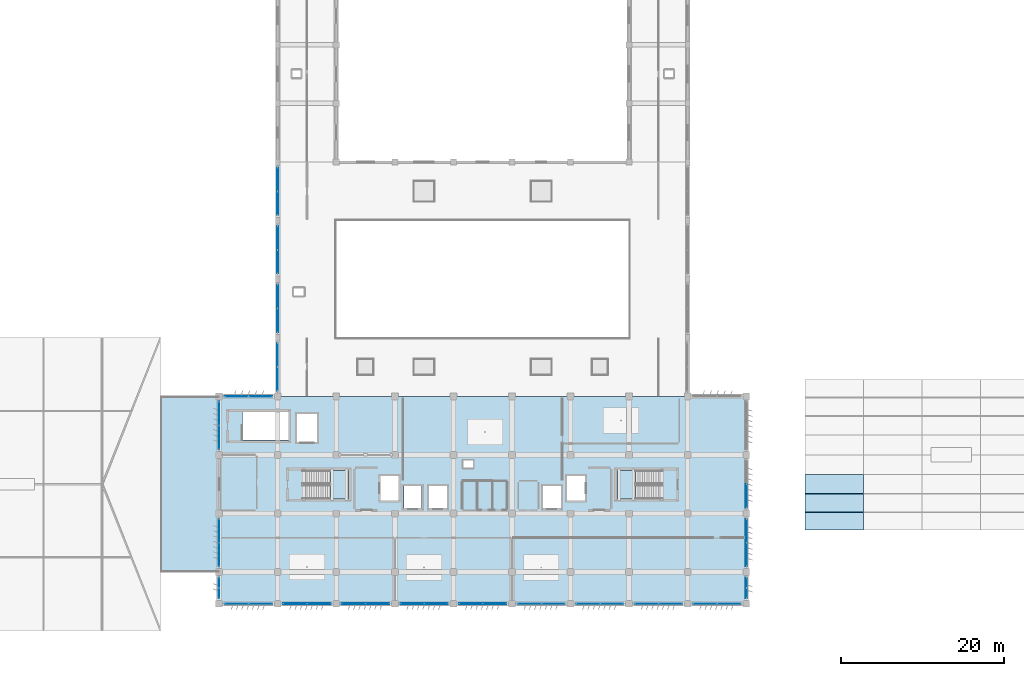
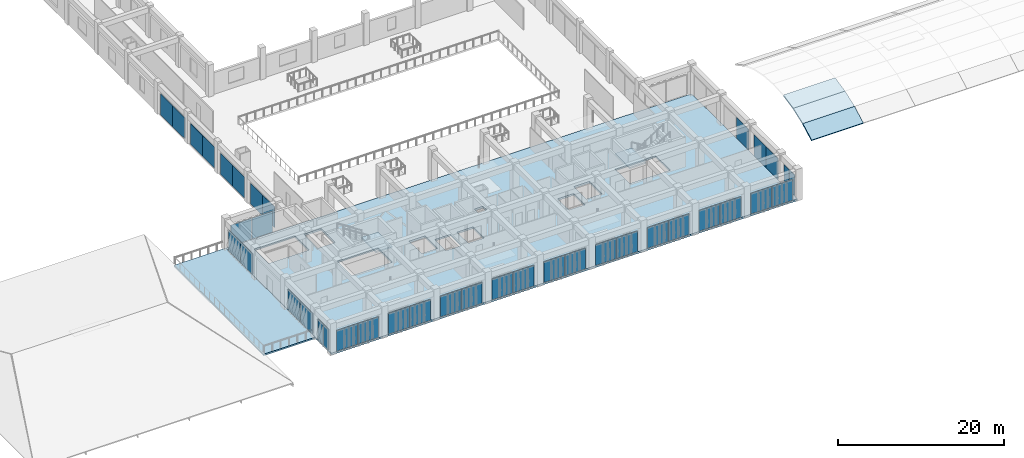
# One storey, part 26 of 55: 39 plates, 7 slabs, 22 elements without a shape of their own.
"""IFC4 building model written with IfcOpenShell, lengths in metres."""

from ifc_helpers import new_model, si_unit, direction, frame, origin, origin_2d, place, context, subcontext, project, spatial, polyline, rectangle, outline, extrude, material, layer, layer_set, type_object, element, aggregate, save


model = new_model("IFC4")

# Units and contexts
model_context = context("Model", 3, precision=1e-05, world=origin(), true_north=direction((0.0, 1.0)))
body_context = subcontext(model_context, "Body", "Model", "MODEL_VIEW")
ifc_project = project(units=[si_unit("LENGTHUNIT", "METRE"), si_unit("AREAUNIT", "SQUARE_METRE"), si_unit("VOLUMEUNIT", "CUBIC_METRE"), si_unit("PLANEANGLEUNIT", "RADIAN"), si_unit("MASSUNIT", "GRAM", prefix="KILO")], contexts=[model_context])

# Site, building, storey
site_placement = place(None, origin())
site = spatial("IfcSite", under=ifc_project, at=site_placement, CompositionType="ELEMENT")
building_placement = place(site_placement, origin())
building = spatial("IfcBuilding", under=site, at=building_placement, Name="Kazehaya Institute of Natural Sciences", CompositionType="ELEMENT")
storey_placement = place(building_placement, frame((0.0, 0.0, 15.1201171875)))
storey = spatial("IfcBuildingStorey", under=building, at=storey_placement, Name="L03", CompositionType="ELEMENT", Elevation=15.1201171875)

# Curtain wall, plates
ifc_material_1 = material(Name="Aluminium alloy A6063S-T5", Category="aluminium")
curtain_wall_type_1 = type_object("IfcCurtainWallType", Name="CW-SYS-03", PredefinedType="NOTDEFINED", material=ifc_material_1)
curtain_wall_1_placement = place(storey_placement, origin())
curtain_wall_1 = element("IfcCurtainWall", 1, at=curtain_wall_1_placement, inside=storey, type_object=curtain_wall_type_1, Name="L03 unitised curtain wall CW-L03-057", PredefinedType="NOTDEFINED")
ifc_material_2 = material(Name="Low-E double-glazed vision glass", Category="glass")
ifc_layer_1 = layer(ifc_material_2, 0.030029296875, Name="Low-E double-glazed vision glass", Category="glass")
ifc_layer_set_1 = layer_set([ifc_layer_1], Name="Low-E double-glazed vision glass")
plate_type_1 = type_object("IfcPlateType", Name="CWP-01", PredefinedType="CURTAIN_PANEL", material=ifc_layer_set_1)
plate_1_placement = place(storey_placement, frame((117.264892578125, 10.10009765625, 0.059814453125), z_axis=(0.0, 0.0, 1.0), x_axis=(-1.0, 0.0, 0.0)))
plate_1 = element("IfcPlate", 2, at=plate_1_placement, type_object=plate_type_1, Name="CW03 panel 1.1", PredefinedType="CURTAIN_PANEL", context=body_context, shape_type="SweptSolid", body=[
    extrude(rectangle(XDim=2.8701171875, YDim=0.030029296875, at=origin_2d()), origin(), (0.0, 0.0, 1.0), 3.06005859375),
])
plate_2_placement = place(storey_placement, frame((114.3349609375, 10.10009765625, 0.059814453125), z_axis=(0.0, 0.0, 1.0), x_axis=(-1.0, 0.0, 0.0)))
plate_2 = element("IfcPlate", 3, at=plate_2_placement, type_object=plate_type_1, Name="CW03 panel 2.1", PredefinedType="CURTAIN_PANEL", context=body_context, shape_type="SweptSolid", body=[
    extrude(rectangle(XDim=2.8701171875, YDim=0.030029296875, at=origin_2d()), origin(), (0.0, 0.0, 1.0), 3.06005859375),
])
aggregate(curtain_wall_1, [plate_1, plate_2])

curtain_wall_2_placement = place(storey_placement, origin())
curtain_wall_2 = element("IfcCurtainWall", 4, at=curtain_wall_2_placement, inside=storey, type_object=curtain_wall_type_1, Name="L03 unitised curtain wall CW-L03-065", PredefinedType="NOTDEFINED")
plate_3_placement = place(storey_placement, frame((59.6650390625, 10.10009765625, 0.059814453125), z_axis=(0.0, 0.0, 1.0), x_axis=(-1.0, 0.0, 0.0)))
plate_3 = element("IfcPlate", 5, at=plate_3_placement, type_object=plate_type_1, Name="CW03 panel 1.1", PredefinedType="CURTAIN_PANEL", context=body_context, shape_type="SweptSolid", body=[
    extrude(rectangle(XDim=2.8701171875, YDim=0.030029296875, at=origin_2d()), origin(), (0.0, 0.0, 1.0), 3.06005859375),
])
plate_4_placement = place(storey_placement, frame((56.735107421875, 10.10009765625, 0.059814453125), z_axis=(0.0, 0.0, 1.0), x_axis=(-1.0, 0.0, 0.0)))
plate_4 = element("IfcPlate", 6, at=plate_4_placement, type_object=plate_type_1, Name="CW03 panel 2.1", PredefinedType="CURTAIN_PANEL", context=body_context, shape_type="SweptSolid", body=[
    extrude(rectangle(XDim=2.8701171875, YDim=0.030029296875, at=origin_2d()), origin(), (0.0, 0.0, 1.0), 3.06005859375),
])
aggregate(curtain_wall_2, [plate_3, plate_4])

curtain_wall_3_placement = place(storey_placement, origin())
curtain_wall_3 = element("IfcCurtainWall", 7, at=curtain_wall_3_placement, inside=storey, type_object=curtain_wall_type_1, Name="L03 unitised curtain wall CW-L03-058", PredefinedType="NOTDEFINED")
ifc_layer_2 = layer(ifc_material_2, 0.0400390625, Name="Low-E double-glazed vision glass", Category="glass")
ifc_layer_set_2 = layer_set([ifc_layer_2], Name="Low-E double-glazed vision glass")
plate_type_2 = type_object("IfcPlateType", Name="CWP-02", PredefinedType="CURTAIN_PANEL", material=ifc_layer_set_2)
plate_5_placement = place(storey_placement, frame((110.06494140625, 10.10009765625, 0.059814453125), z_axis=(0.0, 0.0, 1.0), x_axis=(-1.0, 0.0, 0.0)))
plate_5 = element("IfcPlate", 8, at=plate_5_placement, type_object=plate_type_2, Name="CW03 panel 1.1", PredefinedType="CURTAIN_PANEL", context=body_context, shape_type="SweptSolid", body=[
    extrude(rectangle(XDim=2.8701171875, YDim=0.0400390625, at=origin_2d()), origin(), (0.0, 0.0, 1.0), 3.06005859375),
])
plate_6_placement = place(storey_placement, frame((107.135009765625, 10.10009765625, 0.059814453125), z_axis=(0.0, 0.0, 1.0), x_axis=(-1.0, 0.0, 0.0)))
plate_6 = element("IfcPlate", 9, at=plate_6_placement, type_object=plate_type_2, Name="CW03 panel 2.1", PredefinedType="CURTAIN_PANEL", context=body_context, shape_type="SweptSolid", body=[
    extrude(rectangle(XDim=2.8701171875, YDim=0.0400390625, at=origin_2d()), origin(), (0.0, 0.0, 1.0), 3.06005859375),
])
aggregate(curtain_wall_3, [plate_5, plate_6])

curtain_wall_4_placement = place(storey_placement, origin())
curtain_wall_4 = element("IfcCurtainWall", 10, at=curtain_wall_4_placement, inside=storey, type_object=curtain_wall_type_1, Name="L03 unitised curtain wall CW-L03-059", PredefinedType="NOTDEFINED")
ifc_layer_3 = layer(ifc_material_2, 0.050048828125, Name="Low-E double-glazed vision glass", Category="glass")
ifc_layer_set_3 = layer_set([ifc_layer_3], Name="Low-E double-glazed vision glass")
plate_type_3 = type_object("IfcPlateType", Name="CWP-03", PredefinedType="CURTAIN_PANEL", material=ifc_layer_set_3)
plate_7_placement = place(storey_placement, frame((102.864990234375, 10.10009765625, 0.059814453125), z_axis=(0.0, 0.0, 1.0), x_axis=(-1.0, 0.0, 0.0)))
plate_7 = element("IfcPlate", 11, at=plate_7_placement, type_object=plate_type_3, Name="CW03 panel 1.1", PredefinedType="CURTAIN_PANEL", context=body_context, shape_type="SweptSolid", body=[
    extrude(rectangle(XDim=2.8701171875, YDim=0.050048828125, at=origin_2d()), origin(), (0.0, 0.0, 1.0), 3.06005859375),
])
plate_8_placement = place(storey_placement, frame((99.93505859375, 10.10009765625, 0.059814453125), z_axis=(0.0, 0.0, 1.0), x_axis=(-1.0, 0.0, 0.0)))
plate_8 = element("IfcPlate", 12, at=plate_8_placement, type_object=plate_type_3, Name="CW03 panel 2.1", PredefinedType="CURTAIN_PANEL", context=body_context, shape_type="SweptSolid", body=[
    extrude(rectangle(XDim=2.8701171875, YDim=0.050048828125, at=origin_2d()), origin(), (0.0, 0.0, 1.0), 3.06005859375),
])
aggregate(curtain_wall_4, [plate_7, plate_8])

curtain_wall_5_placement = place(storey_placement, origin())
curtain_wall_5 = element("IfcCurtainWall", 13, at=curtain_wall_5_placement, inside=storey, type_object=curtain_wall_type_1, Name="L03 unitised curtain wall CW-L03-066", PredefinedType="NOTDEFINED")
plate_9_placement = place(storey_placement, frame((56.735107421875, 35.60009765625, 0.059814453125), z_axis=(0.0, 0.0, 1.0), x_axis=(1.0, 0.0, 0.0)))
plate_9 = element("IfcPlate", 14, at=plate_9_placement, type_object=plate_type_3, Name="CW03 panel 1.1", PredefinedType="CURTAIN_PANEL", context=body_context, shape_type="SweptSolid", body=[
    extrude(rectangle(XDim=2.8701171875, YDim=0.050048828125, at=origin_2d()), origin(), (0.0, 0.0, 1.0), 3.06005859375),
])
plate_10_placement = place(storey_placement, frame((59.6650390625, 35.60009765625, 0.059814453125), z_axis=(0.0, 0.0, 1.0), x_axis=(1.0, 0.0, 0.0)))
plate_10 = element("IfcPlate", 15, at=plate_10_placement, type_object=plate_type_3, Name="CW03 panel 2.1", PredefinedType="CURTAIN_PANEL", context=body_context, shape_type="SweptSolid", body=[
    extrude(rectangle(XDim=2.8701171875, YDim=0.050048828125, at=origin_2d()), origin(), (0.0, 0.0, 1.0), 3.06005859375),
])
aggregate(curtain_wall_5, [plate_9, plate_10])

curtain_wall_type_2 = type_object("IfcCurtainWallType", Name="CW-SYS-04", PredefinedType="NOTDEFINED", material=ifc_material_1)
curtain_wall_6_placement = place(storey_placement, origin())
curtain_wall_6 = element("IfcCurtainWall", 16, at=curtain_wall_6_placement, inside=storey, type_object=curtain_wall_type_2, Name="L03 unitised curtain wall CW-L03-031", PredefinedType="NOTDEFINED")
ifc_layer_4 = layer(ifc_material_2, 0.06005859375, Name="Low-E double-glazed vision glass", Category="glass")
ifc_layer_set_4 = layer_set([ifc_layer_4], Name="Low-E double-glazed vision glass")
plate_type_4 = type_object("IfcPlateType", Name="CWP-04", PredefinedType="CURTAIN_PANEL", material=ifc_layer_set_4)
plate_11_placement = place(storey_placement, frame((61.800048828125, 37.735107421875, 0.059814453125), z_axis=(0.0, 0.0, 1.0), x_axis=(0.0, 1.0, 0.0)))
plate_11 = element("IfcPlate", 17, at=plate_11_placement, type_object=plate_type_4, Name="CW04 panel 1.1", PredefinedType="CURTAIN_PANEL", context=body_context, shape_type="SweptSolid", body=[
    extrude(rectangle(XDim=2.8701171875, YDim=0.06005859375, at=origin_2d()), origin(), (0.0, 0.0, 1.0), 3.06005859375),
])
plate_12_placement = place(storey_placement, frame((61.800048828125, 40.6650390625, 0.059814453125), z_axis=(0.0, 0.0, 1.0), x_axis=(0.0, 1.0, 0.0)))
plate_12 = element("IfcPlate", 18, at=plate_12_placement, type_object=plate_type_4, Name="CW04 panel 2.1", PredefinedType="CURTAIN_PANEL", context=body_context, shape_type="SweptSolid", body=[
    extrude(rectangle(XDim=2.8701171875, YDim=0.06005859375, at=origin_2d()), origin(), (0.0, 0.0, 1.0), 3.06005859375),
])
aggregate(curtain_wall_6, [plate_11, plate_12])

curtain_wall_7_placement = place(storey_placement, origin())
curtain_wall_7 = element("IfcCurtainWall", 19, at=curtain_wall_7_placement, inside=storey, type_object=curtain_wall_type_1, Name="L03 unitised curtain wall CW-L03-060", PredefinedType="NOTDEFINED")
plate_13_placement = place(storey_placement, frame((95.6650390625, 10.10009765625, 0.059814453125), z_axis=(0.0, 0.0, 1.0), x_axis=(-1.0, 0.0, 0.0)))
plate_13 = element("IfcPlate", 20, at=plate_13_placement, type_object=plate_type_4, Name="CW03 panel 1.1", PredefinedType="CURTAIN_PANEL", context=body_context, shape_type="SweptSolid", body=[
    extrude(rectangle(XDim=2.8701171875, YDim=0.06005859375, at=origin_2d()), origin(), (0.0, 0.0, 1.0), 3.06005859375),
])
plate_14_placement = place(storey_placement, frame((92.735107421875, 10.10009765625, 0.059814453125), z_axis=(0.0, 0.0, 1.0), x_axis=(-1.0, 0.0, 0.0)))
plate_14 = element("IfcPlate", 21, at=plate_14_placement, type_object=plate_type_4, Name="CW03 panel 2.1", PredefinedType="CURTAIN_PANEL", context=body_context, shape_type="SweptSolid", body=[
    extrude(rectangle(XDim=2.8701171875, YDim=0.06005859375, at=origin_2d()), origin(), (0.0, 0.0, 1.0), 3.06005859375),
])
aggregate(curtain_wall_7, [plate_13, plate_14])

curtain_wall_8_placement = place(storey_placement, origin())
curtain_wall_8 = element("IfcCurtainWall", 22, at=curtain_wall_8_placement, inside=storey, type_object=curtain_wall_type_2, Name="L03 unitised curtain wall CW-L03-033", PredefinedType="NOTDEFINED")
ifc_material_3 = material(Name="Insulated bronze aluminium spandrel panel", Category="aluminium")
ifc_layer_5 = layer(ifc_material_3, 0.070068359375, Name="Insulated bronze aluminium spandrel panel", Category="aluminium")
ifc_layer_set_5 = layer_set([ifc_layer_5], Name="Insulated bronze aluminium spandrel panel")
plate_type_5 = type_object("IfcPlateType", Name="CWP-05", PredefinedType="CURTAIN_PANEL", material=ifc_layer_set_5)
plate_15_placement = place(storey_placement, frame((61.800048828125, 44.93505859375, 0.059814453125), z_axis=(0.0, 0.0, 1.0), x_axis=(0.0, 1.0, 0.0)))
plate_15 = element("IfcPlate", 23, at=plate_15_placement, type_object=plate_type_5, Name="CW04 panel 1.1", PredefinedType="CURTAIN_PANEL", context=body_context, shape_type="SweptSolid", body=[
    extrude(rectangle(XDim=2.8701171875, YDim=0.070068359375, at=origin_2d()), origin(), (0.0, 0.0, 1.0), 3.06005859375),
])
plate_16_placement = place(storey_placement, frame((61.800048828125, 47.864990234375, 0.059814453125), z_axis=(0.0, 0.0, 1.0), x_axis=(0.0, 1.0, 0.0)))
plate_16 = element("IfcPlate", 24, at=plate_16_placement, type_object=plate_type_5, Name="CW04 panel 2.1", PredefinedType="CURTAIN_PANEL", context=body_context, shape_type="SweptSolid", body=[
    extrude(rectangle(XDim=2.8701171875, YDim=0.070068359375, at=origin_2d()), origin(), (0.0, 0.0, 1.0), 3.06005859375),
])
aggregate(curtain_wall_8, [plate_15, plate_16])

curtain_wall_9_placement = place(storey_placement, origin())
curtain_wall_9 = element("IfcCurtainWall", 25, at=curtain_wall_9_placement, inside=storey, type_object=curtain_wall_type_1, Name="L03 unitised curtain wall CW-L03-061", PredefinedType="NOTDEFINED")
plate_17_placement = place(storey_placement, frame((88.465087890625, 10.10009765625, 0.059814453125), z_axis=(0.0, 0.0, 1.0), x_axis=(-1.0, 0.0, 0.0)))
plate_17 = element("IfcPlate", 26, at=plate_17_placement, type_object=plate_type_5, Name="CW03 panel 1.1", PredefinedType="CURTAIN_PANEL", context=body_context, shape_type="SweptSolid", body=[
    extrude(rectangle(XDim=2.8701171875, YDim=0.070068359375, at=origin_2d()), origin(), (0.0, 0.0, 1.0), 3.06005859375),
])
plate_18_placement = place(storey_placement, frame((85.534912109375, 10.10009765625, 0.059814453125), z_axis=(0.0, 0.0, 1.0), x_axis=(-1.0, 0.0, 0.0)))
plate_18 = element("IfcPlate", 27, at=plate_18_placement, type_object=plate_type_5, Name="CW03 panel 2.1", PredefinedType="CURTAIN_PANEL", context=body_context, shape_type="SweptSolid", body=[
    extrude(rectangle(XDim=2.8701171875, YDim=0.070068359375, at=origin_2d()), origin(), (0.0, 0.0, 1.0), 3.06005859375),
])
aggregate(curtain_wall_9, [plate_17, plate_18])

curtain_wall_type_3 = type_object("IfcCurtainWallType", Name="CW-SYS-07", PredefinedType="NOTDEFINED", material=ifc_material_1)
curtain_wall_10_placement = place(storey_placement, origin())
curtain_wall_10 = element("IfcCurtainWall", 28, at=curtain_wall_10_placement, inside=storey, type_object=curtain_wall_type_3, Name="L03 unitised curtain wall CW-L03-068", PredefinedType="NOTDEFINED")
plate_19_placement = place(storey_placement, frame((54.60009765625, 11.409912109375, 0.059814453125), z_axis=(0.0, 0.0, 1.0), x_axis=(0.0, 1.0, 0.0)))
plate_19 = element("IfcPlate", 29, at=plate_19_placement, type_object=plate_type_5, Name="CW07 panel 1.1", PredefinedType="CURTAIN_PANEL", context=body_context, shape_type="SweptSolid", body=[
    extrude(rectangle(XDim=1.219970703125, YDim=0.070068359375, at=origin_2d()), origin(), (0.0, 0.0, 1.0), 3.06005859375),
])
plate_20_placement = place(storey_placement, frame((54.60009765625, 12.68994140625, 0.059814453125), z_axis=(0.0, 0.0, 1.0), x_axis=(0.0, 1.0, 0.0)))
plate_20 = element("IfcPlate", 30, at=plate_20_placement, type_object=plate_type_5, Name="CW07 panel 2.1", PredefinedType="CURTAIN_PANEL", context=body_context, shape_type="SweptSolid", body=[
    extrude(rectangle(XDim=1.219970703125, YDim=0.070068359375, at=origin_2d()), origin(), (0.0, 0.0, 1.0), 3.06005859375),
])
aggregate(curtain_wall_10, [plate_19, plate_20])

curtain_wall_type_4 = type_object("IfcCurtainWallType", Name="CW-SYS-10", PredefinedType="NOTDEFINED", material=ifc_material_1)
curtain_wall_11_placement = place(storey_placement, origin())
curtain_wall_11 = element("IfcCurtainWall", 31, at=curtain_wall_11_placement, inside=storey, type_object=curtain_wall_type_4, Name="L03 unitised curtain wall CW-L03-070", PredefinedType="NOTDEFINED")
plate_21_placement = place(storey_placement, frame((54.60009765625, 16.135009765625, 0.059814453125), z_axis=(0.0, 0.0, 1.0), x_axis=(0.0, 1.0, 0.0)))
plate_21 = element("IfcPlate", 32, at=plate_21_placement, type_object=plate_type_5, Name="CW10 panel 1.1", PredefinedType="CURTAIN_PANEL", context=body_context, shape_type="SweptSolid", body=[
    extrude(rectangle(XDim=2.8701171875, YDim=0.070068359375, at=origin_2d()), origin(), (0.0, 0.0, 1.0), 3.06005859375),
])
plate_22_placement = place(storey_placement, frame((54.60009765625, 19.06494140625, 0.059814453125), z_axis=(0.0, 0.0, 1.0), x_axis=(0.0, 1.0, 0.0)))
plate_22 = element("IfcPlate", 33, at=plate_22_placement, type_object=plate_type_5, Name="CW10 panel 2.1", PredefinedType="CURTAIN_PANEL", context=body_context, shape_type="SweptSolid", body=[
    extrude(rectangle(XDim=2.8701171875, YDim=0.070068359375, at=origin_2d()), origin(), (0.0, 0.0, 1.0), 3.06005859375),
])
aggregate(curtain_wall_11, [plate_21, plate_22])

curtain_wall_12_placement = place(storey_placement, origin())
curtain_wall_12 = element("IfcCurtainWall", 34, at=curtain_wall_12_placement, inside=storey, type_object=curtain_wall_type_4, Name="L03 unitised curtain wall CW-L03-073", PredefinedType="NOTDEFINED")
plate_23_placement = place(storey_placement, frame((54.60009765625, 30.534912109375, 0.059814453125), z_axis=(0.0, 0.0, 1.0), x_axis=(0.0, 1.0, 0.0)))
plate_23 = element("IfcPlate", 35, at=plate_23_placement, type_object=plate_type_5, Name="CW10 panel 1.1", PredefinedType="CURTAIN_PANEL", context=body_context, shape_type="SweptSolid", body=[
    extrude(rectangle(XDim=2.8701171875, YDim=0.070068359375, at=origin_2d()), origin(), (0.0, 0.0, 1.0), 3.06005859375),
])
plate_24_placement = place(storey_placement, frame((54.60009765625, 33.465087890625, 0.059814453125), z_axis=(0.0, 0.0, 1.0), x_axis=(0.0, 1.0, 0.0)))
plate_24 = element("IfcPlate", 36, at=plate_24_placement, type_object=plate_type_5, Name="CW10 panel 2.1", PredefinedType="CURTAIN_PANEL", context=body_context, shape_type="SweptSolid", body=[
    extrude(rectangle(XDim=2.8701171875, YDim=0.070068359375, at=origin_2d()), origin(), (0.0, 0.0, 1.0), 3.06005859375),
])
aggregate(curtain_wall_12, [plate_23, plate_24])

curtain_wall_13_placement = place(storey_placement, origin())
curtain_wall_13 = element("IfcCurtainWall", 37, at=curtain_wall_13_placement, inside=storey, type_object=curtain_wall_type_2, Name="L03 unitised curtain wall CW-L03-035", PredefinedType="NOTDEFINED")
ifc_layer_6 = layer(ifc_material_3, 0.080078125, Name="Insulated bronze aluminium spandrel panel", Category="aluminium")
ifc_layer_set_6 = layer_set([ifc_layer_6], Name="Insulated bronze aluminium spandrel panel")
plate_type_6 = type_object("IfcPlateType", Name="CWP-06", PredefinedType="CURTAIN_PANEL", material=ifc_layer_set_6)
plate_25_placement = place(storey_placement, frame((61.800048828125, 52.135009765625, 0.059814453125), z_axis=(0.0, 0.0, 1.0), x_axis=(0.0, 1.0, 0.0)))
plate_25 = element("IfcPlate", 38, at=plate_25_placement, type_object=plate_type_6, Name="CW04 panel 1.1", PredefinedType="CURTAIN_PANEL", context=body_context, shape_type="SweptSolid", body=[
    extrude(rectangle(XDim=2.8701171875, YDim=0.080078125, at=origin_2d()), origin(), (0.0, 0.0, 1.0), 3.06005859375),
])
plate_26_placement = place(storey_placement, frame((61.800048828125, 55.06494140625, 0.059814453125), z_axis=(0.0, 0.0, 1.0), x_axis=(0.0, 1.0, 0.0)))
plate_26 = element("IfcPlate", 39, at=plate_26_placement, type_object=plate_type_6, Name="CW04 panel 2.1", PredefinedType="CURTAIN_PANEL", context=body_context, shape_type="SweptSolid", body=[
    extrude(rectangle(XDim=2.8701171875, YDim=0.080078125, at=origin_2d()), origin(), (0.0, 0.0, 1.0), 3.06005859375),
])
aggregate(curtain_wall_13, [plate_25, plate_26])

curtain_wall_14_placement = place(storey_placement, origin())
curtain_wall_14 = element("IfcCurtainWall", 40, at=curtain_wall_14_placement, inside=storey, type_object=curtain_wall_type_1, Name="L03 unitised curtain wall CW-L03-062", PredefinedType="NOTDEFINED")
plate_27_placement = place(storey_placement, frame((81.264892578125, 10.10009765625, 0.059814453125), z_axis=(0.0, 0.0, 1.0), x_axis=(-1.0, 0.0, 0.0)))
plate_27 = element("IfcPlate", 41, at=plate_27_placement, type_object=plate_type_6, Name="CW03 panel 1.1", PredefinedType="CURTAIN_PANEL", context=body_context, shape_type="SweptSolid", body=[
    extrude(rectangle(XDim=2.8701171875, YDim=0.080078125, at=origin_2d()), origin(), (0.0, 0.0, 1.0), 3.06005859375),
])
plate_28_placement = place(storey_placement, frame((78.3349609375, 10.10009765625, 0.059814453125), z_axis=(0.0, 0.0, 1.0), x_axis=(-1.0, 0.0, 0.0)))
plate_28 = element("IfcPlate", 42, at=plate_28_placement, type_object=plate_type_6, Name="CW03 panel 2.1", PredefinedType="CURTAIN_PANEL", context=body_context, shape_type="SweptSolid", body=[
    extrude(rectangle(XDim=2.8701171875, YDim=0.080078125, at=origin_2d()), origin(), (0.0, 0.0, 1.0), 3.06005859375),
])
aggregate(curtain_wall_14, [plate_27, plate_28])

curtain_wall_15_placement = place(storey_placement, origin())
curtain_wall_15 = element("IfcCurtainWall", 43, at=curtain_wall_15_placement, inside=storey, type_object=curtain_wall_type_3, Name="L03 unitised curtain wall CW-L03-069", PredefinedType="NOTDEFINED")
plate_29_placement = place(storey_placement, frame((119.39990234375, 12.68994140625, 0.059814453125), z_axis=(0.0, 0.0, 1.0), x_axis=(0.0, -1.0, 0.0)))
plate_29 = element("IfcPlate", 44, at=plate_29_placement, type_object=plate_type_6, Name="CW07 panel 1.1", PredefinedType="CURTAIN_PANEL", context=body_context, shape_type="SweptSolid", body=[
    extrude(rectangle(XDim=1.219970703125, YDim=0.080078125, at=origin_2d()), origin(), (0.0, 0.0, 1.0), 3.06005859375),
])
plate_30_placement = place(storey_placement, frame((119.39990234375, 11.409912109375, 0.059814453125), z_axis=(0.0, 0.0, 1.0), x_axis=(0.0, -1.0, 0.0)))
plate_30 = element("IfcPlate", 45, at=plate_30_placement, type_object=plate_type_6, Name="CW07 panel 2.1", PredefinedType="CURTAIN_PANEL", context=body_context, shape_type="SweptSolid", body=[
    extrude(rectangle(XDim=1.219970703125, YDim=0.080078125, at=origin_2d()), origin(), (0.0, 0.0, 1.0), 3.06005859375),
])
aggregate(curtain_wall_15, [plate_29, plate_30])

curtain_wall_16_placement = place(storey_placement, origin())
curtain_wall_16 = element("IfcCurtainWall", 46, at=curtain_wall_16_placement, inside=storey, type_object=curtain_wall_type_4, Name="L03 unitised curtain wall CW-L03-071", PredefinedType="NOTDEFINED")
plate_31_placement = place(storey_placement, frame((119.39990234375, 19.06494140625, 0.059814453125), z_axis=(0.0, 0.0, 1.0), x_axis=(0.0, -1.0, 0.0)))
plate_31 = element("IfcPlate", 47, at=plate_31_placement, type_object=plate_type_6, Name="CW10 panel 1.1", PredefinedType="CURTAIN_PANEL", context=body_context, shape_type="SweptSolid", body=[
    extrude(rectangle(XDim=2.8701171875, YDim=0.080078125, at=origin_2d()), origin(), (0.0, 0.0, 1.0), 3.06005859375),
])
plate_32_placement = place(storey_placement, frame((119.39990234375, 16.135009765625, 0.059814453125), z_axis=(0.0, 0.0, 1.0), x_axis=(0.0, -1.0, 0.0)))
plate_32 = element("IfcPlate", 48, at=plate_32_placement, type_object=plate_type_6, Name="CW10 panel 2.1", PredefinedType="CURTAIN_PANEL", context=body_context, shape_type="SweptSolid", body=[
    extrude(rectangle(XDim=2.8701171875, YDim=0.080078125, at=origin_2d()), origin(), (0.0, 0.0, 1.0), 3.06005859375),
])
aggregate(curtain_wall_16, [plate_31, plate_32])

# Curtain wall, plate
curtain_wall_17_placement = place(storey_placement, origin())
curtain_wall_17 = element("IfcCurtainWall", 49, at=curtain_wall_17_placement, inside=storey, type_object=curtain_wall_type_4, Name="L03 unitised curtain wall CW-L03-072", PredefinedType="NOTDEFINED")
plate_33_placement = place(storey_placement, frame((119.39990234375, 23.3349609375, 0.059814453125), z_axis=(0.0, 0.0, 1.0), x_axis=(0.0, -1.0, 0.0)))
plate_33 = element("IfcPlate", 50, at=plate_33_placement, type_object=plate_type_6, Name="CW10 panel 2.1", PredefinedType="CURTAIN_PANEL", context=body_context, shape_type="SweptSolid", body=[
    extrude(rectangle(XDim=2.8701171875, YDim=0.080078125, at=origin_2d()), origin(), (0.0, 0.0, 1.0), 3.06005859375),
])
aggregate(curtain_wall_17, [plate_33])

# Curtain wall, plates
curtain_wall_18_placement = place(storey_placement, origin())
curtain_wall_18 = element("IfcCurtainWall", 51, at=curtain_wall_18_placement, inside=storey, type_object=curtain_wall_type_2, Name="L03 unitised curtain wall CW-L03-037", PredefinedType="NOTDEFINED")
ifc_layer_7 = layer(ifc_material_3, 0.090087890625, Name="Insulated bronze aluminium spandrel panel", Category="aluminium")
ifc_layer_set_7 = layer_set([ifc_layer_7], Name="Insulated bronze aluminium spandrel panel")
plate_type_7 = type_object("IfcPlateType", Name="CWP-07", PredefinedType="CURTAIN_PANEL", material=ifc_layer_set_7)
plate_34_placement = place(storey_placement, frame((61.800048828125, 59.3349609375, 0.059814453125), z_axis=(0.0, 0.0, 1.0), x_axis=(0.0, 1.0, 0.0)))
plate_34 = element("IfcPlate", 52, at=plate_34_placement, type_object=plate_type_7, Name="CW04 panel 1.1", PredefinedType="CURTAIN_PANEL", context=body_context, shape_type="SweptSolid", body=[
    extrude(rectangle(XDim=2.8701171875, YDim=0.090087890625, at=origin_2d()), origin(), (0.0, 0.0, 1.0), 3.06005859375),
])
plate_35_placement = place(storey_placement, frame((61.800048828125, 62.264892578125, 0.059814453125), z_axis=(0.0, 0.0, 1.0), x_axis=(0.0, 1.0, 0.0)))
plate_35 = element("IfcPlate", 53, at=plate_35_placement, type_object=plate_type_7, Name="CW04 panel 2.1", PredefinedType="CURTAIN_PANEL", context=body_context, shape_type="SweptSolid", body=[
    extrude(rectangle(XDim=2.8701171875, YDim=0.090087890625, at=origin_2d()), origin(), (0.0, 0.0, 1.0), 3.06005859375),
])
aggregate(curtain_wall_18, [plate_34, plate_35])

curtain_wall_19_placement = place(storey_placement, origin())
curtain_wall_19 = element("IfcCurtainWall", 54, at=curtain_wall_19_placement, inside=storey, type_object=curtain_wall_type_1, Name="L03 unitised curtain wall CW-L03-063", PredefinedType="NOTDEFINED")
plate_36_placement = place(storey_placement, frame((74.06494140625, 10.10009765625, 0.059814453125), z_axis=(0.0, 0.0, 1.0), x_axis=(-1.0, 0.0, 0.0)))
plate_36 = element("IfcPlate", 55, at=plate_36_placement, type_object=plate_type_7, Name="CW03 panel 1.1", PredefinedType="CURTAIN_PANEL", context=body_context, shape_type="SweptSolid", body=[
    extrude(rectangle(XDim=2.8701171875, YDim=0.090087890625, at=origin_2d()), origin(), (0.0, 0.0, 1.0), 3.06005859375),
])
plate_37_placement = place(storey_placement, frame((71.135009765625, 10.10009765625, 0.059814453125), z_axis=(0.0, 0.0, 1.0), x_axis=(-1.0, 0.0, 0.0)))
plate_37 = element("IfcPlate", 56, at=plate_37_placement, type_object=plate_type_7, Name="CW03 panel 2.1", PredefinedType="CURTAIN_PANEL", context=body_context, shape_type="SweptSolid", body=[
    extrude(rectangle(XDim=2.8701171875, YDim=0.090087890625, at=origin_2d()), origin(), (0.0, 0.0, 1.0), 3.06005859375),
])
aggregate(curtain_wall_19, [plate_36, plate_37])

curtain_wall_20_placement = place(storey_placement, origin())
curtain_wall_20 = element("IfcCurtainWall", 57, at=curtain_wall_20_placement, inside=storey, type_object=curtain_wall_type_1, Name="L03 unitised curtain wall CW-L03-064", PredefinedType="NOTDEFINED")
ifc_layer_8 = layer(ifc_material_3, 0.10009765625, Name="Insulated bronze aluminium spandrel panel", Category="aluminium")
ifc_layer_set_8 = layer_set([ifc_layer_8], Name="Insulated bronze aluminium spandrel panel")
plate_type_8 = type_object("IfcPlateType", Name="CWP-08", PredefinedType="CURTAIN_PANEL", material=ifc_layer_set_8)
plate_38_placement = place(storey_placement, frame((66.864990234375, 10.10009765625, 0.059814453125), z_axis=(0.0, 0.0, 1.0), x_axis=(-1.0, 0.0, 0.0)))
plate_38 = element("IfcPlate", 58, at=plate_38_placement, type_object=plate_type_8, Name="CW03 panel 1.1", PredefinedType="CURTAIN_PANEL", context=body_context, shape_type="SweptSolid", body=[
    extrude(rectangle(XDim=2.8701171875, YDim=0.10009765625, at=origin_2d()), origin(), (0.0, 0.0, 1.0), 3.06005859375),
])
plate_39_placement = place(storey_placement, frame((63.93505859375, 10.10009765625, 0.059814453125), z_axis=(0.0, 0.0, 1.0), x_axis=(-1.0, 0.0, 0.0)))
plate_39 = element("IfcPlate", 59, at=plate_39_placement, type_object=plate_type_8, Name="CW03 panel 2.1", PredefinedType="CURTAIN_PANEL", context=body_context, shape_type="SweptSolid", body=[
    extrude(rectangle(XDim=2.8701171875, YDim=0.10009765625, at=origin_2d()), origin(), (0.0, 0.0, 1.0), 3.06005859375),
])
aggregate(curtain_wall_20, [plate_38, plate_39])

# Slab
ifc_material_4 = material(Name="Concrete Fc36", Category="concrete")
ifc_layer_9 = layer(ifc_material_4, 0.260009765625, Name="Concrete Fc36", Category="concrete")
ifc_layer_set_9 = layer_set([ifc_layer_9], Name="Concrete Fc36")
slab_type_1 = type_object("IfcSlabType", Name="SL-FLR-260", PredefinedType="FLOOR", material=ifc_layer_set_9)
slab_1_placement = place(storey_placement, frame((0.0, 0.0, -0.260009765625)))
element("IfcSlab", 60, at=slab_1_placement, inside=storey, type_object=slab_type_1, Name="L03 structural slab L03-VOL4", PredefinedType="FLOOR", context=body_context, shape_type="SweptSolid", body=[
    extrude(outline(polyline([(54.60009765625, 10.10009765625), (119.39990234375, 10.10009765625), (119.39990234375, 35.60009765625), (54.60009765625, 35.60009765625), (54.60009765625, 10.10009765625)]), holes=[polyline([(84.60009765625, 26.800048828125), (85.800048828125, 26.800048828125), (85.800048828125, 27.699951171875), (84.60009765625, 27.699951171875), (84.60009765625, 26.800048828125)]), polyline([(64.860107421875, 23.0), (70.5, 23.0), (70.5, 26.47998046875), (64.860107421875, 26.47998046875), (64.860107421875, 23.0)]), polyline([(103.5, 23.0), (109.139892578125, 23.0), (109.139892578125, 26.47998046875), (103.5, 26.47998046875), (103.5, 23.0)]), polyline([(57.4599609375, 30.199951171875), (63.10009765625, 30.199951171875), (63.10009765625, 33.679931640625), (57.4599609375, 33.679931640625), (57.4599609375, 30.199951171875)]), polyline([(74.449951171875, 22.800048828125), (76.64990234375, 22.800048828125), (76.64990234375, 25.800048828125), (74.449951171875, 25.800048828125), (74.449951171875, 22.800048828125)]), polyline([(97.35009765625, 22.800048828125), (99.550048828125, 22.800048828125), (99.550048828125, 25.800048828125), (97.35009765625, 25.800048828125), (97.35009765625, 22.800048828125)]), polyline([(77.300048828125, 21.85009765625), (79.5, 21.85009765625), (79.5, 24.550048828125), (77.300048828125, 24.550048828125), (77.300048828125, 21.85009765625)]), polyline([(80.39990234375, 21.85009765625), (82.60009765625, 21.85009765625), (82.60009765625, 24.550048828125), (80.39990234375, 24.550048828125), (80.39990234375, 21.85009765625)]), polyline([(94.39990234375, 21.85009765625), (96.60009765625, 21.85009765625), (96.60009765625, 24.550048828125), (94.39990234375, 24.550048828125), (94.39990234375, 21.85009765625)]), polyline([(64.199951171875, 30.0), (66.60009765625, 30.0), (66.60009765625, 33.39990234375), (64.199951171875, 33.39990234375), (64.199951171875, 30.0)])]), origin(), (0.0, 0.0, 1.0), 0.260009765625),
])

# Stair, slab
stair_type = type_object("IfcStairType", Name="STR-DOG-4680", PredefinedType="HALF_TURN_STAIR", material=ifc_material_4)
stair_1_placement = place(storey_placement, origin())
stair_1 = element("IfcStair", 61, at=stair_1_placement, inside=storey, type_object=stair_type, Name="L03 Protected Escape Stair ST-1", PredefinedType="HALF_TURN_STAIR")
ifc_layer_10 = layer(ifc_material_4, 0.159912109375, Name="Concrete Fc36", Category="concrete")
ifc_layer_set_10 = layer_set([ifc_layer_10], Name="Concrete Fc36")
slab_type_2 = type_object("IfcSlabType", Name="SL-LND-160", PredefinedType="LANDING", material=ifc_layer_set_10)
slab_2_placement = place(storey_placement, frame((0.0, 0.0, 2.139892578125)))
slab_2 = element("IfcSlab", 62, at=slab_2_placement, type_object=slab_type_2, Name="ST-1 landing 1", PredefinedType="LANDING", context=body_context, shape_type="SweptSolid", body=[
    extrude(outline(polyline([(68.219970703125, 23.0), (70.5, 23.0), (70.5, 26.47998046875), (68.219970703125, 26.47998046875), (68.219970703125, 23.0)])), origin(), (0.0, 0.0, 1.0), 0.199951171875),
])
aggregate(stair_1, [slab_2])

stair_2_placement = place(storey_placement, origin())
stair_2 = element("IfcStair", 63, at=stair_2_placement, inside=storey, type_object=stair_type, Name="L03 Protected Escape Stair ST-2", PredefinedType="HALF_TURN_STAIR")
slab_3_placement = place(storey_placement, frame((0.0, 0.0, 2.139892578125)))
slab_3 = element("IfcSlab", 64, at=slab_3_placement, type_object=slab_type_2, Name="ST-2 landing 1", PredefinedType="LANDING", context=body_context, shape_type="SweptSolid", body=[
    extrude(outline(polyline([(105.780029296875, 26.47998046875), (103.5, 26.47998046875), (103.5, 23.0), (105.780029296875, 23.0), (105.780029296875, 26.47998046875)])), origin(), (0.0, 0.0, 1.0), 0.199951171875),
])
aggregate(stair_2, [slab_3])

# Slabs
ifc_layer_11 = layer(ifc_material_4, 0.199951171875, Name="Concrete Fc36", Category="concrete")
ifc_layer_set_11 = layer_set([ifc_layer_11], Name="Concrete Fc36")
slab_type_3 = type_object("IfcSlabType", Name="SL-SHL-200", PredefinedType="ROOF", material=ifc_layer_set_11)
slab_4_placement = place(storey_placement, frame((126.60009765625, 19.160888671875, 0.62646484375), z_axis=(0.0, -0.476273464289, 0.879297212104), x_axis=(1.0, 0.0, 0.0)))
element("IfcSlab", 65, at=slab_4_placement, inside=storey, type_object=slab_type_3, Name="SH-VOL1 barrel vault shell strip 4", PredefinedType="ROOF", context=body_context, shape_type="SweptSolid", body=[
    extrude(outline(polyline([(0.0, 0.0), (7.199951171875, 0.0), (7.199951171875, 2.4364162138622203), (0.0, 2.4364162138622203), (0.0, 0.0)])), origin(), (0.0, 0.0, -1.0), 0.199951171875),
])
slab_5_placement = place(storey_placement, frame((126.60009765625, 21.30322265625, 1.786865234375), z_axis=(0.0, -0.347200130154, 0.937791058617), x_axis=(1.0, 0.0, 0.0)))
element("IfcSlab", 66, at=slab_5_placement, inside=storey, type_object=slab_type_3, Name="SH-VOL1 barrel vault shell strip 5", PredefinedType="ROOF", context=body_context, shape_type="SweptSolid", body=[
    extrude(outline(polyline([(0.0, 0.0), (7.199951171875, 0.0), (7.199951171875, 2.436483146624849), (0.0, 2.436483146624849), (0.0, 0.0)])), origin(), (0.0, 0.0, -1.0), 0.199951171875),
])
slab_6_placement = place(storey_placement, frame((126.60009765625, 23.588134765625, 2.6328125), z_axis=(0.0, -0.211123225914, 0.977459453624), x_axis=(1.0, 0.0, 0.0)))
element("IfcSlab", 67, at=slab_6_placement, inside=storey, type_object=slab_type_3, Name="SH-VOL1 barrel vault shell strip 6", PredefinedType="ROOF", context=body_context, shape_type="SweptSolid", body=[
    extrude(outline(polyline([(0.0, 0.0), (7.199951171875, 0.0), (7.199951171875, 2.436512111110009), (0.0, 2.436512111110009), (0.0, 0.0)])), origin(), (0.0, 0.0, -1.0), 0.199951171875),
])
ifc_layer_12 = layer(ifc_material_4, 0.22998046875, Name="Concrete Fc36", Category="concrete")
ifc_layer_set_12 = layer_set([ifc_layer_12], Name="Concrete Fc36")
slab_type_4 = type_object("IfcSlabType", Name="SL-TER-230", PredefinedType="FLOOR", material=ifc_layer_set_12)
slab_7_placement = place(storey_placement, frame((0.0, 0.0, -0.230224609375)))
element("IfcSlab", 68, at=slab_7_placement, inside=storey, type_object=slab_type_4, Name="L03 outdoor terrace slab EXT-L03-TER3", PredefinedType="FLOOR", context=body_context, shape_type="SweptSolid", body=[
    extrude(outline(polyline([(47.39990234375, 14.0), (54.60009765625, 14.0), (54.60009765625, 35.60009765625), (47.39990234375, 35.60009765625), (47.39990234375, 14.0)])), origin(), (0.0, 0.0, 1.0), 0.230224609375),
])

save(model, "model.ifc")
